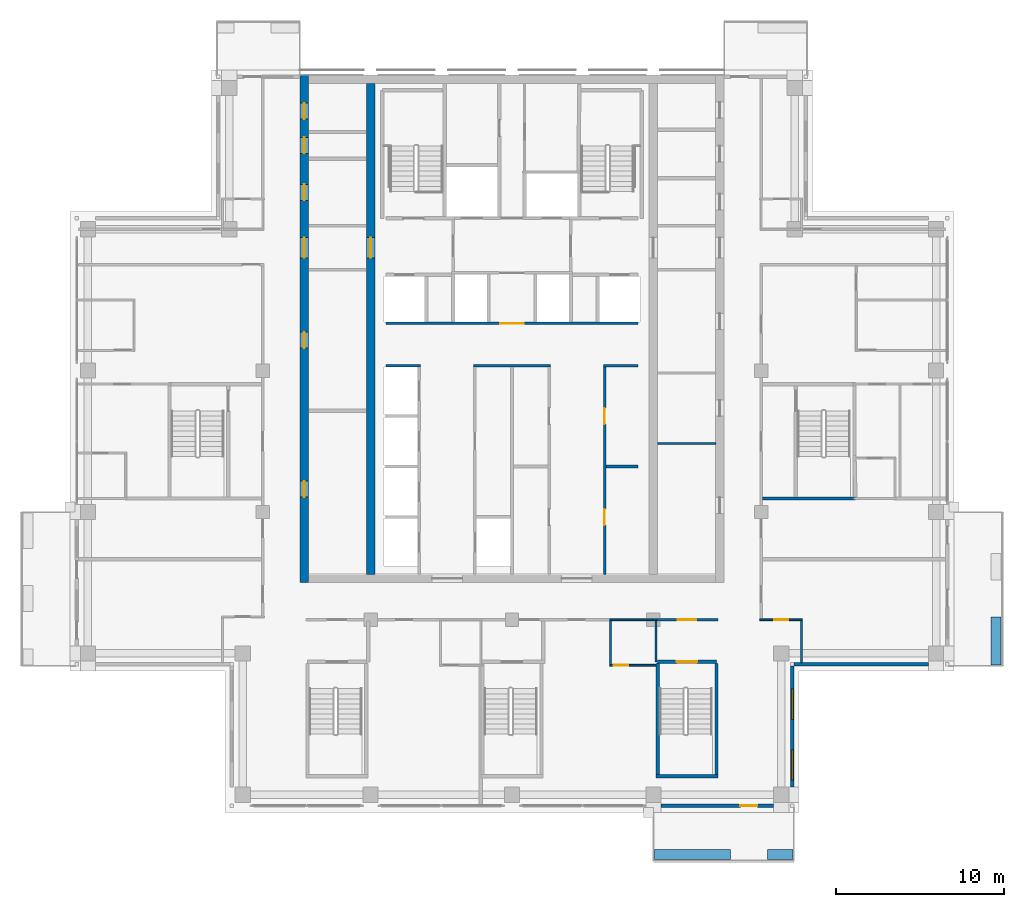
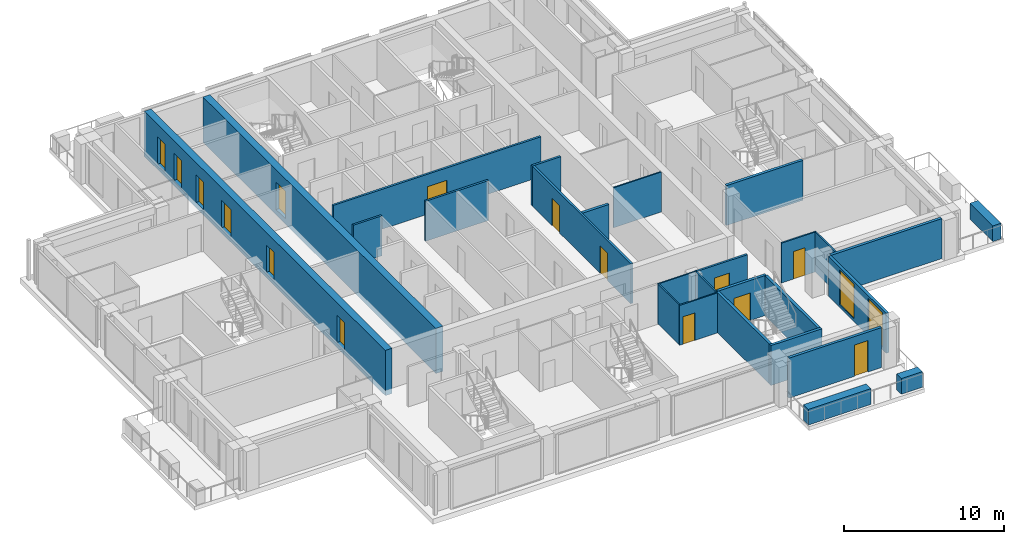
# One storey, part 11 of 19: 27 walls, 15 doors, 2 windows, 17 openings.
"""IFC4 building model written with IfcOpenShell, lengths in metres."""

from ifc_helpers import new_model, si_unit, direction, frame, frame_2d, origin, place, context, subcontext, project, spatial, rectangle, extrude, material, layer, layer_set, type_object, element, fill, save


model = new_model("IFC4")

# Units and contexts
model_context = context("Model", 3, precision=1e-05, world=origin(), true_north=direction((0.0, 1.0)))
body_context = subcontext(model_context, "Body", "Model", "MODEL_VIEW")
ifc_project = project(units=[si_unit("LENGTHUNIT", "METRE"), si_unit("AREAUNIT", "SQUARE_METRE"), si_unit("VOLUMEUNIT", "CUBIC_METRE"), si_unit("PLANEANGLEUNIT", "RADIAN"), si_unit("MASSUNIT", "GRAM", prefix="KILO")], contexts=[model_context])

# Site, building, storey
site_placement = place(None, origin())
site = spatial("IfcSite", under=ifc_project, at=site_placement, CompositionType="ELEMENT")
building_placement = place(site_placement, origin())
building = spatial("IfcBuilding", under=site, at=building_placement, Name="Vermilion Ogive Tower", CompositionType="ELEMENT")
storey_placement = place(building_placement, frame((0.0, 0.0, 226.89990234375)))
storey = spatial("IfcBuildingStorey", under=building, at=storey_placement, Name="L59", CompositionType="ELEMENT", Elevation=226.89990234375)

# Wall, openings, doors
ifc_material_1 = material(Name="Concrete B60", Category="concrete")
ifc_layer_1 = layer(ifc_material_1, 0.5)
ifc_layer_set_1 = layer_set([ifc_layer_1], Name="Core wall 500 B60")
wall_type_1 = type_object("IfcWallType", Name="Core wall 500 B60", PredefinedType="SHEAR", material=ifc_layer_set_1)
wall_1_placement = place(storey_placement, frame((-12.35009765625, -8.39990234375, -0.39990234375), z_axis=(0.0, 0.0, 1.0), x_axis=(0.0, 1.0, 0.0)))
wall_1 = element("IfcWall", 1, at=wall_1_placement, inside=storey, type_object=wall_type_1, Name="L59-CORE-W", PredefinedType="SHEAR", context=body_context, shape_type="SweptSolid", body=[
    extrude(rectangle(XDim=30.14990234375, YDim=0.5, at=frame_2d((15.074951171875, 0.0))), origin(), (0.0, 0.0, 1.0), 3.449951171875),
])
opening_1_placement = place(wall_1_placement, frame((5.0830078125, 0.0, 0.39990234375)))
opening_1 = element("IfcOpeningElement", 2, at=opening_1_placement, cuts=wall_1, Name="Opening DAD100", PredefinedType="OPENING", context=body_context, shape_type="SweptSolid", body=[
    extrude(rectangle(XDim=0.949951171875, YDim=2.10009765625, at=frame_2d((0.47509765625, 1.050048828125))), frame((0.0, 0.260009765625, 0.0), z_axis=(0.0, -1.0, 0.0), x_axis=(1.0, 0.0, 0.0)), (0.0, 0.0, 1.0), 0.52001953125),
])
opening_2_placement = place(wall_1_placement, frame((13.932861328125, 0.0, 0.39990234375)))
opening_2 = element("IfcOpeningElement", 3, at=opening_2_placement, cuts=wall_1, Name="Opening DAD101", PredefinedType="OPENING", context=body_context, shape_type="SweptSolid", body=[
    extrude(rectangle(XDim=0.949951171875, YDim=2.10009765625, at=frame_2d((0.47509765625, 1.050048828125))), frame((0.0, 0.260009765625, 0.0), z_axis=(0.0, -1.0, 0.0), x_axis=(1.0, 0.0, 0.0)), (0.0, 0.0, 1.0), 0.52001953125),
])
opening_3_placement = place(wall_1_placement, frame((22.718994140625, 0.0, 0.39990234375)))
opening_3 = element("IfcOpeningElement", 4, at=opening_3_placement, cuts=wall_1, Name="Opening DAD102", PredefinedType="OPENING", context=body_context, shape_type="SweptSolid", body=[
    extrude(rectangle(XDim=0.949951171875, YDim=2.10009765625, at=frame_2d((0.47509765625, 1.050048828125))), frame((0.0, 0.260009765625, 0.0), z_axis=(0.0, -1.0, 0.0), x_axis=(1.0, 0.0, 0.0)), (0.0, 0.0, 1.0), 0.52001953125),
])
opening_4_placement = place(wall_1_placement, frame((25.505615234375, 0.0, 0.39990234375)))
opening_4 = element("IfcOpeningElement", 5, at=opening_4_placement, cuts=wall_1, Name="Opening DAD103", PredefinedType="OPENING", context=body_context, shape_type="SweptSolid", body=[
    extrude(rectangle(XDim=0.949951171875, YDim=2.10009765625, at=frame_2d((0.47509765625, 1.050048828125))), frame((0.0, 0.260009765625, 0.0), z_axis=(0.0, -1.0, 0.0), x_axis=(1.0, 0.0, 0.0)), (0.0, 0.0, 1.0), 0.52001953125),
])
opening_5_placement = place(wall_1_placement, frame((27.53662109375, 0.0, 0.39990234375)))
opening_5 = element("IfcOpeningElement", 6, at=opening_5_placement, cuts=wall_1, Name="Opening DAD104", PredefinedType="OPENING", context=body_context, shape_type="SweptSolid", body=[
    extrude(rectangle(XDim=0.949951171875, YDim=2.10009765625, at=frame_2d((0.47509765625, 1.050048828125))), frame((0.0, 0.260009765625, 0.0), z_axis=(0.0, -1.0, 0.0), x_axis=(1.0, 0.0, 0.0)), (0.0, 0.0, 1.0), 0.52001953125),
])
opening_6_placement = place(wall_1_placement, frame((19.300048828125, 0.0, 0.39990234375)))
opening_6 = element("IfcOpeningElement", 7, at=opening_6_placement, cuts=wall_1, Name="Opening DAM024", PredefinedType="OPENING", context=body_context, shape_type="SweptSolid", body=[
    extrude(rectangle(XDim=1.199951171875, YDim=2.10009765625, at=frame_2d((0.60009765625, 1.050048828125))), frame((0.0, 0.260009765625, 0.0), z_axis=(0.0, -1.0, 0.0), x_axis=(1.0, 0.0, 0.0)), (0.0, 0.0, 1.0), 0.52001953125),
])
ifc_material_2 = material(Name="Timber door leaf", Category="wood")
door_type_1 = type_object("IfcDoorType", Name="Link door 1200 x 2100 FD60S", OperationType="SINGLE_SWING_LEFT", PredefinedType="DOOR", material=ifc_material_2)
door_1_placement = place(opening_6_placement, origin())
door_1 = element("IfcDoor", 8, at=door_1_placement, inside=storey, type_object=door_type_1, Name="L59-CKW-XL", OperationType="SINGLE_SWING_LEFT", OverallHeight=2.10009765625, OverallWidth=1.199951171875, PredefinedType="DOOR", context=body_context, shape_type="SweptSolid", body=[
    extrude(rectangle(XDim=1.199951171875, YDim=2.10009765625, at=frame_2d((0.60009765625, 1.050048828125))), frame((0.0, 0.02490234375, 0.0), z_axis=(0.0, -1.0, 0.0), x_axis=(1.0, 0.0, 0.0)), (0.0, 0.0, 1.0), 0.050048828125),
])
fill(opening_6, door_1)
ifc_material_3 = material(Name="Timber door leaf", Category="wood")
door_type_2 = type_object("IfcDoorType", Name="Service door 950 x 2100 FD60", OperationType="SINGLE_SWING_LEFT", PredefinedType="DOOR", material=ifc_material_3)
door_2_placement = place(opening_1_placement, origin())
door_2 = element("IfcDoor", 9, at=door_2_placement, inside=storey, type_object=door_type_2, Name="L59-CKW-XR0", OperationType="SINGLE_SWING_LEFT", OverallHeight=2.10009765625, OverallWidth=0.949951171875, PredefinedType="DOOR", context=body_context, shape_type="SweptSolid", body=[
    extrude(rectangle(XDim=0.949951171875, YDim=2.10009765625, at=frame_2d((0.47509765625, 1.050048828125))), frame((0.0, 0.02490234375, 0.0), z_axis=(0.0, -1.0, 0.0), x_axis=(1.0, 0.0, 0.0)), (0.0, 0.0, 1.0), 0.050048828125),
])
fill(opening_1, door_2)
door_3_placement = place(opening_2_placement, origin())
door_3 = element("IfcDoor", 10, at=door_3_placement, inside=storey, type_object=door_type_2, Name="L59-CKW-XR1", OperationType="SINGLE_SWING_LEFT", OverallHeight=2.10009765625, OverallWidth=0.949951171875, PredefinedType="DOOR", context=body_context, shape_type="SweptSolid", body=[
    extrude(rectangle(XDim=0.949951171875, YDim=2.10009765625, at=frame_2d((0.47509765625, 1.050048828125))), frame((0.0, 0.02490234375, 0.0), z_axis=(0.0, -1.0, 0.0), x_axis=(1.0, 0.0, 0.0)), (0.0, 0.0, 1.0), 0.050048828125),
])
fill(opening_2, door_3)
door_4_placement = place(opening_3_placement, origin())
door_4 = element("IfcDoor", 11, at=door_4_placement, inside=storey, type_object=door_type_2, Name="L59-CKW-XR2", OperationType="SINGLE_SWING_LEFT", OverallHeight=2.10009765625, OverallWidth=0.949951171875, PredefinedType="DOOR", context=body_context, shape_type="SweptSolid", body=[
    extrude(rectangle(XDim=0.949951171875, YDim=2.10009765625, at=frame_2d((0.47509765625, 1.050048828125))), frame((0.0, 0.02490234375, 0.0), z_axis=(0.0, -1.0, 0.0), x_axis=(1.0, 0.0, 0.0)), (0.0, 0.0, 1.0), 0.050048828125),
])
fill(opening_3, door_4)
door_5_placement = place(opening_4_placement, origin())
door_5 = element("IfcDoor", 12, at=door_5_placement, inside=storey, type_object=door_type_2, Name="L59-CKW-XR3", OperationType="SINGLE_SWING_LEFT", OverallHeight=2.10009765625, OverallWidth=0.949951171875, PredefinedType="DOOR", context=body_context, shape_type="SweptSolid", body=[
    extrude(rectangle(XDim=0.949951171875, YDim=2.10009765625, at=frame_2d((0.47509765625, 1.050048828125))), frame((0.0, 0.02490234375, 0.0), z_axis=(0.0, -1.0, 0.0), x_axis=(1.0, 0.0, 0.0)), (0.0, 0.0, 1.0), 0.050048828125),
])
fill(opening_4, door_5)
door_6_placement = place(opening_5_placement, origin())
door_6 = element("IfcDoor", 13, at=door_6_placement, inside=storey, type_object=door_type_2, Name="L59-CKW-XR4", OperationType="SINGLE_SWING_LEFT", OverallHeight=2.10009765625, OverallWidth=0.949951171875, PredefinedType="DOOR", context=body_context, shape_type="SweptSolid", body=[
    extrude(rectangle(XDim=0.949951171875, YDim=2.10009765625, at=frame_2d((0.47509765625, 1.050048828125))), frame((0.0, 0.02490234375, 0.0), z_axis=(0.0, -1.0, 0.0), x_axis=(1.0, 0.0, 0.0)), (0.0, 0.0, 1.0), 0.050048828125),
])
fill(opening_5, door_6)

# Wall, opening, door
wall_2_placement = place(storey_placement, frame((-8.39990234375, -7.89990234375, -0.39990234375), z_axis=(0.0, 0.0, 1.0), x_axis=(0.0, 1.0, 0.0)))
wall_2 = element("IfcWall", 14, at=wall_2_placement, inside=storey, type_object=wall_type_1, Name="L59-CORE-WEB1", PredefinedType="SHEAR", context=body_context, shape_type="SweptSolid", body=[
    extrude(rectangle(XDim=29.14990234375, YDim=0.5, at=frame_2d((14.574951171875, 0.0))), origin(), (0.0, 0.0, 1.0), 3.449951171875),
])
opening_7_placement = place(wall_2_placement, frame((18.800048828125, 0.0, 0.39990234375)))
opening_7 = element("IfcOpeningElement", 15, at=opening_7_placement, cuts=wall_2, Name="Opening DAP019", PredefinedType="OPENING", context=body_context, shape_type="SweptSolid", body=[
    extrude(rectangle(XDim=1.199951171875, YDim=2.10009765625, at=frame_2d((0.60009765625, 1.050048828125))), frame((0.0, 0.260009765625, 0.0), z_axis=(0.0, -1.0, 0.0), x_axis=(1.0, 0.0, 0.0)), (0.0, 0.0, 1.0), 0.52001953125),
])
door_7_placement = place(opening_7_placement, origin())
door_7 = element("IfcDoor", 16, at=door_7_placement, inside=storey, type_object=door_type_1, Name="L59-CKW-XW", OperationType="SINGLE_SWING_LEFT", OverallHeight=2.10009765625, OverallWidth=1.199951171875, PredefinedType="DOOR", context=body_context, shape_type="SweptSolid", body=[
    extrude(rectangle(XDim=1.199951171875, YDim=2.10009765625, at=frame_2d((0.60009765625, 1.050048828125))), frame((0.0, 0.02490234375, 0.0), z_axis=(0.0, -1.0, 0.0), x_axis=(1.0, 0.0, 0.0)), (0.0, 0.0, 1.0), 0.050048828125),
])
fill(opening_7, door_7)

ifc_material_4 = material(Name="Gypsum board partition on steel studs", Category="steel")
ifc_layer_2 = layer(ifc_material_4, 0.10009765625)
ifc_layer_set_2 = layer_set([ifc_layer_2], Name="Partition 100 bath")
wall_type_2 = type_object("IfcWallType", Name="Partition 100 bath", PredefinedType="PARTITIONING", material=ifc_layer_set_2)
wall_3_placement = place(storey_placement, frame((5.802001953125, -13.300048828125, 0.0), z_axis=(0.0, 0.0, 1.0), x_axis=(1.0, 0.0, 0.0)))
wall_3 = element("IfcWall", 17, at=wall_3_placement, inside=storey, type_object=wall_type_2, Name="L59-W-W003", PredefinedType="PARTITIONING", context=body_context, shape_type="SweptSolid", body=[
    extrude(rectangle(XDim=2.748046875, YDim=0.10009765625, at=frame_2d((1.3740234375, 0.0))), origin(), (0.0, 0.0, 1.0), 3.050048828125),
])
opening_8_placement = place(wall_3_placement, frame((0.248046875, 0.0, 0.0)))
opening_8 = element("IfcOpeningElement", 18, at=opening_8_placement, cuts=wall_3, Name="Opening D5G1012", PredefinedType="OPENING", context=body_context, shape_type="SweptSolid", body=[
    extrude(rectangle(XDim=0.85009765625, YDim=2.10009765625, at=frame_2d((0.425048828125, 1.050048828125))), frame((0.0, 0.06005859375, 0.0), z_axis=(0.0, -1.0, 0.0), x_axis=(1.0, 0.0, 0.0)), (0.0, 0.0, 1.0), 0.1201171875),
])
ifc_material_5 = material(Name="Timber door leaf", Category="wood")
door_type_3 = type_object("IfcDoorType", Name="Bath door 850 x 2100 FD30", OperationType="SINGLE_SWING_LEFT", PredefinedType="DOOR", material=ifc_material_5)
door_8_placement = place(opening_8_placement, origin())
door_8 = element("IfcDoor", 19, at=door_8_placement, inside=storey, type_object=door_type_3, Name="L59-D-D012", OperationType="SINGLE_SWING_LEFT", OverallHeight=2.10009765625, OverallWidth=0.85009765625, PredefinedType="DOOR", context=body_context, shape_type="SweptSolid", body=[
    extrude(rectangle(XDim=0.85009765625, YDim=2.10009765625, at=frame_2d((0.425048828125, 1.050048828125))), frame((0.0, 0.02490234375, 0.0), z_axis=(0.0, -1.0, 0.0), x_axis=(1.0, 0.0, 0.0)), (0.0, 0.0, 1.0), 0.050048828125),
])
fill(opening_8, door_8)

# Wall
wall_4_placement = place(storey_placement, frame((5.800048828125, -10.60009765625, 0.0), z_axis=(0.0, 0.0, 1.0), x_axis=(1.0, 0.0, 0.0)))
element("IfcWall", 20, at=wall_4_placement, inside=storey, type_object=wall_type_2, Name="L59-W-W010", PredefinedType="PARTITIONING", context=body_context, shape_type="SweptSolid", body=[
    extrude(rectangle(XDim=2.800048828125, YDim=0.10009765625, at=frame_2d((1.39990234375, 0.0))), origin(), (0.0, 0.0, 1.0), 3.050048828125),
])

# Wall, opening, door
wall_5_placement = place(storey_placement, frame((14.72509765625, -10.60009765625, 0.0), z_axis=(0.0, 0.0, 1.0), x_axis=(1.0, 0.0, 0.0)))
wall_5 = element("IfcWall", 21, at=wall_5_placement, inside=storey, type_object=wall_type_2, Name="L59-W-W012", PredefinedType="PARTITIONING", context=body_context, shape_type="SweptSolid", body=[
    extrude(rectangle(XDim=2.52490234375, YDim=0.10009765625, at=frame_2d((1.262451171875, 0.0))), origin(), (0.0, 0.0, 1.0), 3.050048828125),
])
opening_9_placement = place(wall_5_placement, frame((0.849853515625, 0.0, 0.0)))
opening_9 = element("IfcOpeningElement", 22, at=opening_9_placement, cuts=wall_5, Name="Opening D5G1014", PredefinedType="OPENING", context=body_context, shape_type="SweptSolid", body=[
    extrude(rectangle(XDim=0.85009765625, YDim=2.10009765625, at=frame_2d((0.425048828125, 1.050048828125))), frame((0.0, 0.06005859375, 0.0), z_axis=(0.0, -1.0, 0.0), x_axis=(1.0, 0.0, 0.0)), (0.0, 0.0, 1.0), 0.1201171875),
])
door_9_placement = place(opening_9_placement, origin())
door_9 = element("IfcDoor", 23, at=door_9_placement, inside=storey, type_object=door_type_3, Name="L59-D-D014", OperationType="SINGLE_SWING_RIGHT", OverallHeight=2.10009765625, OverallWidth=0.85009765625, PredefinedType="DOOR", context=body_context, shape_type="SweptSolid", body=[
    extrude(rectangle(XDim=0.85009765625, YDim=2.10009765625, at=frame_2d((0.425048828125, 1.050048828125))), frame((0.0, 0.02490234375, 0.0), z_axis=(0.0, -1.0, 0.0), x_axis=(1.0, 0.0, 0.0)), (0.0, 0.0, 1.0), 0.050048828125),
])
fill(opening_9, door_9)

# Walls
wall_6_placement = place(storey_placement, frame((5.85009765625, -13.248046875, 0.0), z_axis=(0.0, 0.0, 1.0), x_axis=(0.0, 1.0, 0.0)))
element("IfcWall", 24, at=wall_6_placement, inside=storey, type_object=wall_type_2, Name="L59-W-W055", PredefinedType="PARTITIONING", context=body_context, shape_type="SweptSolid", body=[
    extrude(rectangle(XDim=2.572998046875, YDim=0.10009765625, at=frame_2d((1.28662109375, 0.0))), origin(), (0.0, 0.0, 1.0), 3.050048828125),
])
wall_7_placement = place(storey_placement, frame((8.550048828125, -13.10009765625, 0.0), z_axis=(0.0, 0.0, 1.0), x_axis=(0.0, 1.0, 0.0)))
element("IfcWall", 25, at=wall_7_placement, inside=storey, type_object=wall_type_2, Name="L59-W-W056", PredefinedType="PARTITIONING", context=body_context, shape_type="SweptSolid", body=[
    extrude(rectangle(XDim=2.425048828125, YDim=0.10009765625, at=frame_2d((1.21240234375, 0.0))), origin(), (0.0, 0.0, 1.0), 3.050048828125),
])
wall_8_placement = place(storey_placement, frame((17.199951171875, -13.14990234375, 0.0), z_axis=(0.0, 0.0, 1.0), x_axis=(0.0, 1.0, 0.0)))
element("IfcWall", 26, at=wall_8_placement, inside=storey, type_object=wall_type_2, Name="L59-W-W061", PredefinedType="PARTITIONING", context=body_context, shape_type="SweptSolid", body=[
    extrude(rectangle(XDim=2.5, YDim=0.10009765625, at=frame_2d((1.25, 0.0))), origin(), (0.0, 0.0, 1.0), 3.050048828125),
])
wall_9_placement = place(storey_placement, frame((8.65087890625, -0.125, 0.0), z_axis=(0.0, 0.0, 1.0), x_axis=(1.0, 0.0, 0.0)))
element("IfcWall", 27, at=wall_9_placement, inside=storey, type_object=wall_type_2, Name="L59-CKE-W-W001", PredefinedType="PARTITIONING", context=body_context, shape_type="SweptSolid", body=[
    extrude(rectangle(XDim=3.4482421875, YDim=0.10009765625, at=frame_2d((1.72412109375, 0.0))), origin(), (0.0, 0.0, 1.0), 3.050048828125),
])

# Wall, opening, door
ifc_material_6 = material(Name="Gypsum board partition on steel studs", Category="steel")
ifc_layer_3 = layer(ifc_material_6, 0.14990234375)
ifc_layer_set_3 = layer_set([ifc_layer_3], Name="Partition 150 corridor")
wall_type_3 = type_object("IfcWallType", Name="Partition 150 corridor", PredefinedType="PARTITIONING", material=ifc_layer_set_3)
wall_10_placement = place(storey_placement, frame((8.5, -10.60009765625, 0.0), z_axis=(0.0, 0.0, 1.0), x_axis=(1.0, 0.0, 0.0)))
wall_10 = element("IfcWall", 28, at=wall_10_placement, inside=storey, type_object=wall_type_3, Name="L59-W-W011", PredefinedType="PARTITIONING", context=body_context, shape_type="SweptSolid", body=[
    extrude(rectangle(XDim=3.75, YDim=0.14990234375, at=frame_2d((1.875, 0.0))), origin(), (0.0, 0.0, 1.0), 3.050048828125),
])
opening_10_placement = place(wall_10_placement, frame((1.35009765625, 0.0, 0.0)))
opening_10 = element("IfcOpeningElement", 29, at=opening_10_placement, cuts=wall_10, Name="Opening D5G1027", PredefinedType="OPENING", context=body_context, shape_type="SweptSolid", body=[
    extrude(rectangle(XDim=1.10009765625, YDim=2.10009765625, at=frame_2d((0.550048828125, 1.050048828125))), frame((0.0, 0.0849609375, 0.0), z_axis=(0.0, -1.0, 0.0), x_axis=(1.0, 0.0, 0.0)), (0.0, 0.0, 1.0), 0.169921875),
])
ifc_material_7 = material(Name="Timber door leaf", Category="wood")
door_type_4 = type_object("IfcDoorType", Name="Stair door 1100 x 2100 FD60S", OperationType="SINGLE_SWING_LEFT", PredefinedType="DOOR", material=ifc_material_7)
door_10_placement = place(opening_10_placement, origin())
door_10 = element("IfcDoor", 30, at=door_10_placement, inside=storey, type_object=door_type_4, Name="L59-D-D027", OperationType="SINGLE_SWING_RIGHT", OverallHeight=2.10009765625, OverallWidth=1.10009765625, PredefinedType="DOOR", context=body_context, shape_type="SweptSolid", body=[
    extrude(rectangle(XDim=1.10009765625, YDim=2.10009765625, at=frame_2d((0.550048828125, 1.050048828125))), frame((0.0, 0.02490234375, 0.0), z_axis=(0.0, -1.0, 0.0), x_axis=(1.0, 0.0, 0.0)), (0.0, 0.0, 1.0), 0.050048828125),
])
fill(opening_10, door_10)

# Walls
wall_11_placement = place(storey_placement, frame((-7.5, 4.5, 0.0), z_axis=(0.0, 0.0, 1.0), x_axis=(1.0, 0.0, 0.0)))
element("IfcWall", 31, at=wall_11_placement, inside=storey, type_object=wall_type_3, Name="L59-CK-W-W007", PredefinedType="PARTITIONING", context=body_context, shape_type="SweptSolid", body=[
    extrude(rectangle(XDim=2.074951171875, YDim=0.14990234375, at=frame_2d((1.03759765625, 0.0))), origin(), (0.0, 0.0, 1.0), 3.050048828125),
])
wall_12_placement = place(storey_placement, frame((-2.27490234375, 4.5, 0.0), z_axis=(0.0, 0.0, 1.0), x_axis=(1.0, 0.0, 0.0)))
element("IfcWall", 32, at=wall_12_placement, inside=storey, type_object=wall_type_3, Name="L59-CK-W-W008", PredefinedType="PARTITIONING", context=body_context, shape_type="SweptSolid", body=[
    extrude(rectangle(XDim=4.5498046875, YDim=0.14990234375, at=frame_2d((2.27490234375, 0.0))), origin(), (0.0, 0.0, 1.0), 3.050048828125),
])
wall_13_placement = place(storey_placement, frame((5.425048828125, 4.5, 0.0), z_axis=(0.0, 0.0, 1.0), x_axis=(1.0, 0.0, 0.0)))
element("IfcWall", 33, at=wall_13_placement, inside=storey, type_object=wall_type_3, Name="L59-CK-W-W009", PredefinedType="PARTITIONING", context=body_context, shape_type="SweptSolid", body=[
    extrude(rectangle(XDim=2.074951171875, YDim=0.14990234375, at=frame_2d((1.03759765625, 0.0))), origin(), (0.0, 0.0, 1.0), 3.050048828125),
])

# Wall, opening, door
wall_14_placement = place(storey_placement, frame((-7.5, 7.0, 0.0), z_axis=(0.0, 0.0, 1.0), x_axis=(1.0, 0.0, 0.0)))
wall_14 = element("IfcWall", 34, at=wall_14_placement, inside=storey, type_object=wall_type_3, Name="L59-CK-W-W010", PredefinedType="PARTITIONING", context=body_context, shape_type="SweptSolid", body=[
    extrude(rectangle(XDim=15.0, YDim=0.14990234375, at=frame_2d((7.5, 0.0))), origin(), (0.0, 0.0, 1.0), 3.050048828125),
])
opening_11_placement = place(wall_14_placement, frame((6.800048828125, 0.0, 0.0)))
opening_11 = element("IfcOpeningElement", 35, at=opening_11_placement, cuts=wall_14, Name="Opening DAA540", PredefinedType="OPENING", context=body_context, shape_type="SweptSolid", body=[
    extrude(rectangle(XDim=1.39990234375, YDim=2.10009765625, at=frame_2d((0.699951171875, 1.050048828125))), frame((0.0, 0.0849609375, 0.0), z_axis=(0.0, -1.0, 0.0), x_axis=(1.0, 0.0, 0.0)), (0.0, 0.0, 1.0), 0.169921875),
])
ifc_material_8 = material(Name="Timber door leaf", Category="wood")
door_type_5 = type_object("IfcDoorType", Name="Lobby door 1400 x 2100 FD60S", OperationType="SINGLE_SWING_LEFT", PredefinedType="DOOR", material=ifc_material_8)
door_11_placement = place(opening_11_placement, origin())
door_11 = element("IfcDoor", 36, at=door_11_placement, inside=storey, type_object=door_type_5, Name="L59-CK-D-D015", OperationType="SINGLE_SWING_RIGHT", OverallHeight=2.10009765625, OverallWidth=1.39990234375, PredefinedType="DOOR", context=body_context, shape_type="SweptSolid", body=[
    extrude(rectangle(XDim=1.39990234375, YDim=2.10009765625, at=frame_2d((0.699951171875, 1.050048828125))), frame((0.0, 0.02490234375, 0.0), z_axis=(0.0, -1.0, 0.0), x_axis=(1.0, 0.0, 0.0)), (0.0, 0.0, 1.0), 0.050048828125),
])
fill(opening_11, door_11)

# Wall, openings, doors
wall_15_placement = place(storey_placement, frame((5.5, -7.89892578125, 0.0), z_axis=(0.0, 0.0, 1.0), x_axis=(0.0, 1.0, 0.0)))
wall_15 = element("IfcWall", 37, at=wall_15_placement, inside=storey, type_object=wall_type_3, Name="L59-CK-W-W037", PredefinedType="PARTITIONING", context=body_context, shape_type="SweptSolid", body=[
    extrude(rectangle(XDim=12.323974609375, YDim=0.14990234375, at=frame_2d((6.162109375, 0.0))), origin(), (0.0, 0.0, 1.0), 3.050048828125),
])
opening_12_placement = place(wall_15_placement, frame((2.923828125, 0.0, 0.0)))
opening_12 = element("IfcOpeningElement", 38, at=opening_12_placement, cuts=wall_15, Name="Opening DAA546", PredefinedType="OPENING", context=body_context, shape_type="SweptSolid", body=[
    extrude(rectangle(XDim=0.949951171875, YDim=2.10009765625, at=frame_2d((0.47509765625, 1.050048828125))), frame((0.0, 0.0849609375, 0.0), z_axis=(0.0, -1.0, 0.0), x_axis=(1.0, 0.0, 0.0)), (0.0, 0.0, 1.0), 0.169921875),
])
opening_13_placement = place(wall_15_placement, frame((8.923828125, 0.0, 0.0)))
opening_13 = element("IfcOpeningElement", 39, at=opening_13_placement, cuts=wall_15, Name="Opening DAA547", PredefinedType="OPENING", context=body_context, shape_type="SweptSolid", body=[
    extrude(rectangle(XDim=0.949951171875, YDim=2.10009765625, at=frame_2d((0.47509765625, 1.050048828125))), frame((0.0, 0.0849609375, 0.0), z_axis=(0.0, -1.0, 0.0), x_axis=(1.0, 0.0, 0.0)), (0.0, 0.0, 1.0), 0.169921875),
])
door_12_placement = place(opening_12_placement, origin())
door_12 = element("IfcDoor", 40, at=door_12_placement, inside=storey, type_object=door_type_2, Name="L59-CK-D-D009", OperationType="SINGLE_SWING_LEFT", OverallHeight=2.10009765625, OverallWidth=0.949951171875, PredefinedType="DOOR", context=body_context, shape_type="SweptSolid", body=[
    extrude(rectangle(XDim=0.949951171875, YDim=2.10009765625, at=frame_2d((0.47509765625, 1.050048828125))), frame((0.0, 0.02490234375, 0.0), z_axis=(0.0, -1.0, 0.0), x_axis=(1.0, 0.0, 0.0)), (0.0, 0.0, 1.0), 0.050048828125),
])
fill(opening_12, door_12)
door_13_placement = place(opening_13_placement, origin())
door_13 = element("IfcDoor", 41, at=door_13_placement, inside=storey, type_object=door_type_2, Name="L59-CK-D-D010", OperationType="SINGLE_SWING_LEFT", OverallHeight=2.10009765625, OverallWidth=0.949951171875, PredefinedType="DOOR", context=body_context, shape_type="SweptSolid", body=[
    extrude(rectangle(XDim=0.949951171875, YDim=2.10009765625, at=frame_2d((0.47509765625, 1.050048828125))), frame((0.0, 0.02490234375, 0.0), z_axis=(0.0, -1.0, 0.0), x_axis=(1.0, 0.0, 0.0)), (0.0, 0.0, 1.0), 0.050048828125),
])
fill(opening_13, door_13)

# Wall
ifc_material_9 = material(Name="Gypsum board partition on steel studs", Category="steel")
ifc_layer_4 = layer(ifc_material_9, 0.199951171875)
ifc_layer_set_4 = layer_set([ifc_layer_4], Name="Partition 200 party")
wall_type_4 = type_object("IfcWallType", Name="Partition 200 party", PredefinedType="PARTITIONING", material=ifc_layer_set_4)
wall_16_placement = place(storey_placement, frame((5.574951171875, -1.5, 0.0), z_axis=(0.0, 0.0, 1.0), x_axis=(1.0, 0.0, 0.0)))
element("IfcWall", 42, at=wall_16_placement, inside=storey, type_object=wall_type_4, Name="L59-CK-W-W005", PredefinedType="PARTITIONING", context=body_context, shape_type="SweptSolid", body=[
    extrude(rectangle(XDim=1.925048828125, YDim=0.199951171875, at=frame_2d((0.96240234375, 0.0))), origin(), (0.0, 0.0, 1.0), 3.050048828125),
])

# Wall, opening, door
ifc_material_10 = material(Name="Concrete B60", Category="concrete")
ifc_layer_5 = layer(ifc_material_10, 0.199951171875)
ifc_layer_set_5 = layer_set([ifc_layer_5], Name="Stair shaft wall 200 Concrete B60")
wall_type_5 = type_object("IfcWallType", Name="Stair shaft wall 200 Concrete B60", PredefinedType="SOLIDWALL", material=ifc_layer_set_5)
wall_17_placement = place(storey_placement, frame((8.64990234375, -13.10009765625, 0.0), z_axis=(0.0, 0.0, 1.0), x_axis=(1.0, 0.0, 0.0)))
wall_17 = element("IfcWall", 43, at=wall_17_placement, inside=storey, type_object=wall_type_5, Name="L59-W-W006", PredefinedType="SOLIDWALL", context=body_context, shape_type="SweptSolid", body=[
    extrude(rectangle(XDim=3.5, YDim=0.199951171875, at=frame_2d((1.75, 0.0))), origin(), (0.0, 0.0, 1.0), 3.050048828125),
])
opening_14_placement = place(wall_17_placement, frame((1.150146484375, 0.0, 0.0)))
opening_14 = element("IfcOpeningElement", 44, at=opening_14_placement, cuts=wall_17, Name="Opening D5G1028", PredefinedType="OPENING", context=body_context, shape_type="SweptSolid", body=[
    extrude(rectangle(XDim=1.199951171875, YDim=2.10009765625, at=frame_2d((0.60009765625, 1.050048828125))), frame((0.0, 0.10986328125, 0.0), z_axis=(0.0, -1.0, 0.0), x_axis=(1.0, 0.0, 0.0)), (0.0, 0.0, 1.0), 0.219970703125),
])
ifc_material_11 = material(Name="Timber door leaf", Category="wood")
door_type_6 = type_object("IfcDoorType", Name="Stair door 1200 x 2100 FD60S", OperationType="SINGLE_SWING_LEFT", PredefinedType="DOOR", material=ifc_material_11)
door_14_placement = place(opening_14_placement, origin())
door_14 = element("IfcDoor", 45, at=door_14_placement, inside=storey, type_object=door_type_6, Name="L59-D-D028", OperationType="SINGLE_SWING_RIGHT", OverallHeight=2.10009765625, OverallWidth=1.199951171875, PredefinedType="DOOR", context=body_context, shape_type="SweptSolid", body=[
    extrude(rectangle(XDim=1.199951171875, YDim=2.10009765625, at=frame_2d((0.60009765625, 1.050048828125))), frame((0.0, 0.02490234375, 0.0), z_axis=(0.0, -1.0, 0.0), x_axis=(1.0, 0.0, 0.0)), (0.0, 0.0, 1.0), 0.050048828125),
])
fill(opening_14, door_14)

# Walls
wall_18_placement = place(storey_placement, frame((14.875, -3.39990234375, 0.0), z_axis=(0.0, 0.0, 1.0), x_axis=(1.0, 0.0, 0.0)))
element("IfcWall", 46, at=wall_18_placement, inside=storey, type_object=wall_type_5, Name="L59-W-W018", PredefinedType="SOLIDWALL", context=body_context, shape_type="SweptSolid", body=[
    extrude(rectangle(XDim=5.52490234375, YDim=0.199951171875, at=frame_2d((2.762451171875, 0.0))), origin(), (0.0, 0.0, 1.0), 3.050048828125),
])
wall_19_placement = place(storey_placement, frame((8.550048828125, -19.89990234375, 0.0), z_axis=(0.0, 0.0, 1.0), x_axis=(1.0, 0.0, 0.0)))
element("IfcWall", 47, at=wall_19_placement, inside=storey, type_object=wall_type_5, Name="L59-SW-ST5-S1", PredefinedType="SOLIDWALL", context=body_context, shape_type="SweptSolid", body=[
    extrude(rectangle(XDim=3.699951171875, YDim=0.199951171875, at=frame_2d((1.85009765625, 0.0))), origin(), (0.0, 0.0, 1.0), 3.050048828125),
])
for number, where, z_axis, x_axis, name in (
    (48, (8.64990234375, -19.800048828125, 0.0), (0.0, 0.0, 1.0), (0.0, 1.0, 0.0), "L59-SW-ST5-W1"),
    (49, (12.14990234375, -19.800048828125, 0.0), (0.0, 0.0, 1.0), (0.0, 1.0, 0.0), "L59-SW-ST5-E1"),
):
    element("IfcWall", number, at=place(storey_placement, frame(where, z_axis=z_axis, x_axis=x_axis)), inside=storey, type_object=wall_type_5, Name=name, PredefinedType="SOLIDWALL", context=body_context, shape_type="SweptSolid", body=[
        extrude(rectangle(XDim=6.60009765625, YDim=0.199951171875, at=frame_2d((3.300048828125, 0.0))), origin(), (0.0, 0.0, 1.0), 3.050048828125),
    ])
ifc_material_12 = material(Name="Concrete B40", Category="concrete")
ifc_layer_6 = layer(ifc_material_12, 0.60009765625)
ifc_layer_set_6 = layer_set([ifc_layer_6], Name="Structural planter")
wall_type_6 = type_object("IfcWallType", Name="Structural planter", PredefinedType="USERDEFINED", material=ifc_layer_set_6)
wall_20_placement = place(storey_placement, frame((8.4599609375, -24.550048828125, -0.039794921875), z_axis=(0.0, 0.0, 1.0), x_axis=(1.0, 0.0, 0.0)))
element("IfcWall", 50, at=wall_20_placement, inside=storey, type_object=wall_type_6, Name="Planter S04A1", ObjectType="PLANTER", PredefinedType="USERDEFINED", context=body_context, shape_type="SweptSolid", body=[
    extrude(rectangle(XDim=4.51513671875, YDim=0.60009765625, at=frame_2d((2.257568359375, 0.0))), origin(), (0.0, 0.0, 1.0), 1.199951171875),
])
wall_21_placement = place(storey_placement, frame((15.175048828125, -24.550048828125, -0.039794921875), z_axis=(0.0, 0.0, 1.0), x_axis=(1.0, 0.0, 0.0)))
element("IfcWall", 51, at=wall_21_placement, inside=storey, type_object=wall_type_6, Name="Planter S04A2", ObjectType="PLANTER", PredefinedType="USERDEFINED", context=body_context, shape_type="SweptSolid", body=[
    extrude(rectangle(XDim=1.514892578125, YDim=0.60009765625, at=frame_2d((0.75732421875, 0.0))), origin(), (0.0, 0.0, 1.0), 1.199951171875),
])
wall_22_placement = place(storey_placement, frame((28.75, -13.2900390625, -0.039794921875), z_axis=(0.0, 0.0, 1.0), x_axis=(0.0, 1.0, 0.0)))
element("IfcWall", 52, at=wall_22_placement, inside=storey, type_object=wall_type_6, Name="Planter E01A1", ObjectType="PLANTER", PredefinedType="USERDEFINED", context=body_context, shape_type="SweptSolid", body=[
    extrude(rectangle(XDim=2.864990234375, YDim=0.60009765625, at=frame_2d((1.4326171875, 0.0))), origin(), (0.0, 0.0, 1.0), 1.199951171875),
])

# Wall, opening, door
ifc_material_13 = material(Name="Aluminium window wall framing", Category="aluminium")
ifc_layer_7 = layer(ifc_material_13, 0.199951171875)
ifc_layer_set_7 = layer_set([ifc_layer_7], Name="Window wall")
wall_type_7 = type_object("IfcWallType", Name="Window wall", PredefinedType="STANDARD", material=ifc_layer_set_7)
wall_23_placement = place(storey_placement, frame((8.85009765625, -21.64990234375, 0.0), z_axis=(0.0, 0.0, 1.0), x_axis=(1.0, 0.0, 0.0)))
wall_23 = element("IfcWall", 53, at=wall_23_placement, inside=storey, type_object=wall_type_7, Name="Window wall S4", PredefinedType="STANDARD", context=body_context, shape_type="SweptSolid", body=[
    extrude(rectangle(XDim=6.699951171875, YDim=0.199951171875, at=frame_2d((3.35009765625, 0.0))), origin(), (0.0, 0.0, 1.0), 3.050048828125),
])
opening_15_placement = place(wall_23_placement, frame((4.72509765625, 0.0, 0.0)))
opening_15 = element("IfcOpeningElement", 54, at=opening_15_placement, cuts=wall_23, Name="Opening D1-S03K", PredefinedType="OPENING", context=body_context, shape_type="SweptSolid", body=[
    extrude(rectangle(XDim=1.0, YDim=2.39990234375, at=frame_2d((0.5, 1.199951171875))), frame((0.0, 0.10986328125, 0.0), z_axis=(0.0, -1.0, 0.0), x_axis=(1.0, 0.0, 0.0)), (0.0, 0.0, 1.0), 0.219970703125),
])
ifc_material_14 = material(Name="Aluminium framed glazed door", Category="aluminium")
door_type_7 = type_object("IfcDoorType", Name="Balcony door D1", OperationType="SINGLE_SWING_LEFT", PredefinedType="DOOR", material=ifc_material_14)
door_15_placement = place(opening_15_placement, origin())
door_15 = element("IfcDoor", 55, at=door_15_placement, inside=storey, type_object=door_type_7, Name="Balcony door S03K", OperationType="SINGLE_SWING_LEFT", OverallHeight=2.39990234375, OverallWidth=1.0, PredefinedType="DOOR", context=body_context, shape_type="SweptSolid", body=[
    extrude(rectangle(XDim=1.0, YDim=2.39990234375, at=frame_2d((0.5, 1.199951171875))), frame((0.0, 0.02490234375, 0.0), z_axis=(0.0, -1.0, 0.0), x_axis=(1.0, 0.0, 0.0)), (0.0, 0.0, 1.0), 0.050048828125),
])
fill(opening_15, door_15)

# Wall, openings, windows
wall_24_placement = place(storey_placement, frame((16.64990234375, -20.550048828125, 0.0), z_axis=(0.0, 0.0, 1.0), x_axis=(0.0, 1.0, 0.0)))
wall_24 = element("IfcWall", 56, at=wall_24_placement, inside=storey, type_object=wall_type_7, Name="Window wall X11", PredefinedType="STANDARD", context=body_context, shape_type="SweptSolid", body=[
    extrude(rectangle(XDim=7.199951171875, YDim=0.199951171875, at=frame_2d((3.60009765625, 0.0))), origin(), (0.0, 0.0, 1.0), 3.050048828125),
])
opening_16_placement = place(wall_24_placement, frame((0.425048828125, 0.0, 0.199951171875)))
opening_16 = element("IfcOpeningElement", 57, at=opening_16_placement, cuts=wall_24, Name="Opening W1-X195", PredefinedType="OPENING", context=body_context, shape_type="SweptSolid", body=[
    extrude(rectangle(XDim=1.800048828125, YDim=2.64990234375, at=frame_2d((0.89990234375, 1.324951171875))), frame((0.0, 0.10986328125, 0.0), z_axis=(0.0, -1.0, 0.0), x_axis=(1.0, 0.0, 0.0)), (0.0, 0.0, 1.0), 0.219970703125),
])
opening_17_placement = place(wall_24_placement, frame((4.02490234375, 0.0, 0.199951171875)))
opening_17 = element("IfcOpeningElement", 58, at=opening_17_placement, cuts=wall_24, Name="Opening W1-X196", PredefinedType="OPENING", context=body_context, shape_type="SweptSolid", body=[
    extrude(rectangle(XDim=1.800048828125, YDim=2.64990234375, at=frame_2d((0.89990234375, 1.324951171875))), frame((0.0, 0.10986328125, 0.0), z_axis=(0.0, -1.0, 0.0), x_axis=(1.0, 0.0, 0.0)), (0.0, 0.0, 1.0), 0.219970703125),
])
ifc_material_15 = material(Name="Aluminium framed double glazing", Category="aluminium")
window_type = type_object("IfcWindowType", Name="Guest window W1", PartitioningType="SINGLE_PANEL", PredefinedType="WINDOW", material=ifc_material_15)
window_1_placement = place(opening_16_placement, origin())
window_1 = element("IfcWindow", 59, at=window_1_placement, inside=storey, type_object=window_type, Name="Window X195", OverallHeight=2.64990234375, OverallWidth=1.800048828125, PartitioningType="SINGLE_PANEL", PredefinedType="WINDOW", context=body_context, shape_type="SweptSolid", body=[
    extrude(rectangle(XDim=1.800048828125, YDim=2.64990234375, at=frame_2d((0.89990234375, 1.324951171875))), frame((0.0, 0.030029296875, 0.0), z_axis=(0.0, -1.0, 0.0), x_axis=(1.0, 0.0, 0.0)), (0.0, 0.0, 1.0), 0.06005859375),
])
fill(opening_16, window_1)
window_2_placement = place(opening_17_placement, origin())
window_2 = element("IfcWindow", 60, at=window_2_placement, inside=storey, type_object=window_type, Name="Window X196", OverallHeight=2.64990234375, OverallWidth=1.800048828125, PartitioningType="SINGLE_PANEL", PredefinedType="WINDOW", context=body_context, shape_type="SweptSolid", body=[
    extrude(rectangle(XDim=1.800048828125, YDim=2.64990234375, at=frame_2d((0.89990234375, 1.324951171875))), frame((0.0, 0.030029296875, 0.0), z_axis=(0.0, -1.0, 0.0), x_axis=(1.0, 0.0, 0.0)), (0.0, 0.0, 1.0), 0.06005859375),
])
fill(opening_17, window_2)

# Wall
wall_25_placement = place(storey_placement, frame((16.75, -13.25, 0.0), z_axis=(0.0, 0.0, 1.0), x_axis=(1.0, 0.0, 0.0)))
element("IfcWall", 61, at=wall_25_placement, inside=storey, type_object=wall_type_7, Name="Window wall X21", PredefinedType="STANDARD", context=body_context, shape_type="SweptSolid", body=[
    extrude(rectangle(XDim=8.0, YDim=0.199951171875, at=frame_2d((4.0, 0.0))), origin(), (0.0, 0.0, 1.0), 3.050048828125),
])

save(model, "model.ifc")
